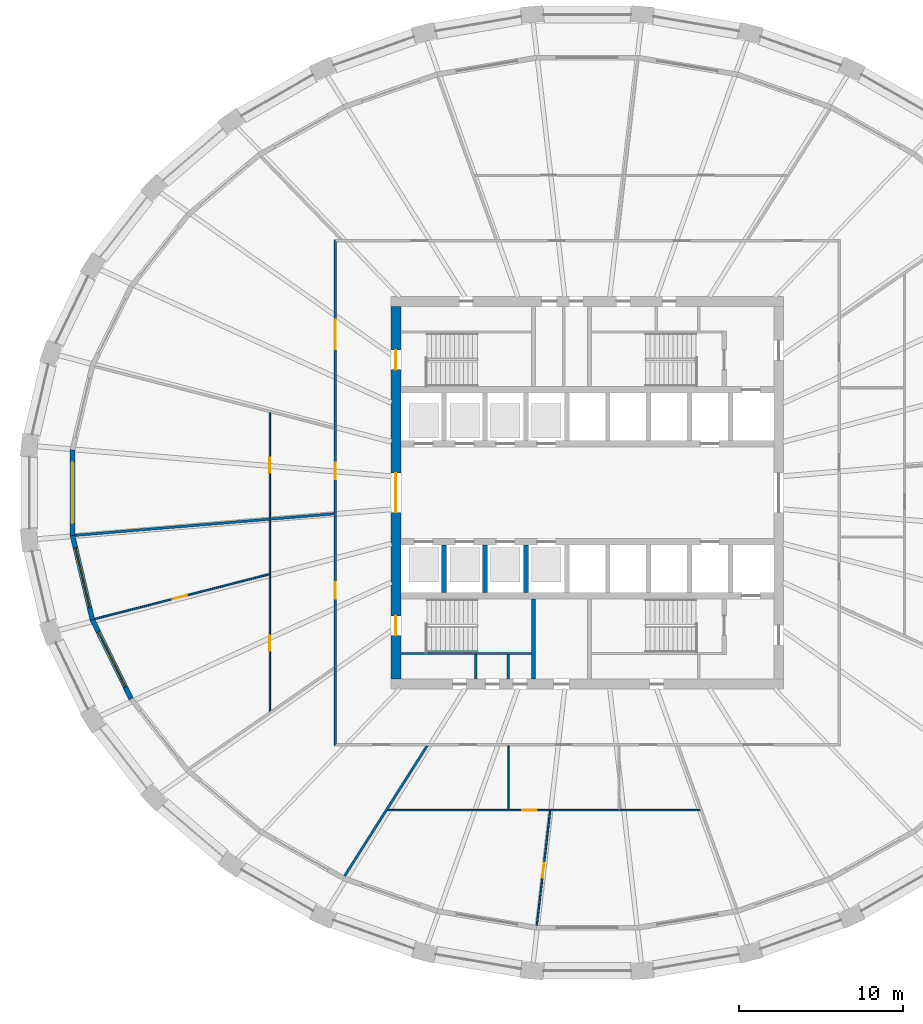
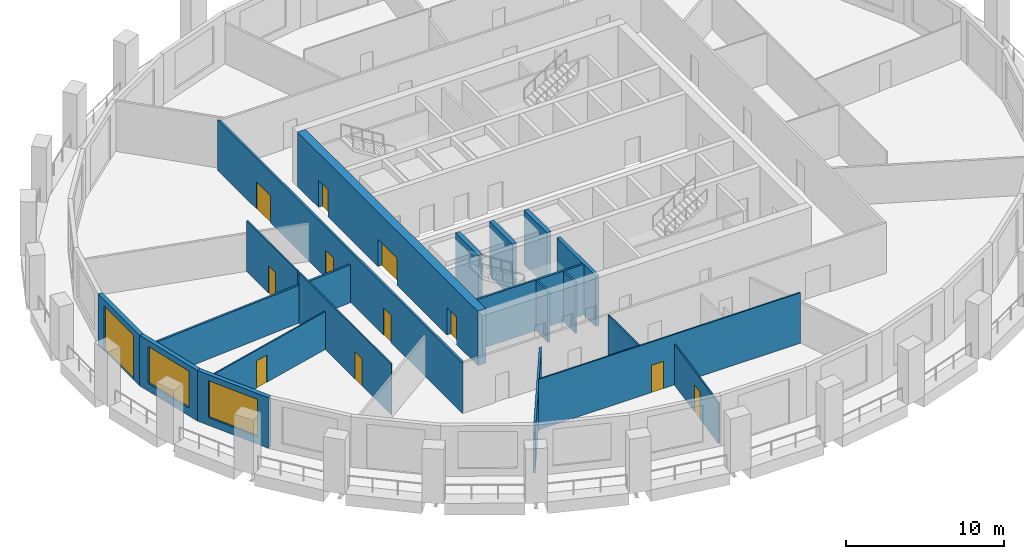
# One storey, part 3 of 11: 20 walls, 12 doors, 2 windows, 14 openings.
"""IFC4 building model written with IfcOpenShell, lengths in metres."""

import ifcopenshell
import ifcopenshell.guid

model = None  # the IFC model being written
_history = None  # IfcOwnerHistory: only IFC2X3 demands one
_inside = {}  # id of a spatial element -> (the spatial element, [elements in it])
_under = {}  # id of a project, library or spatial element -> (it, [spatial elements below it])
_declared = {}  # id of a project -> (the project, [libraries it declares])
_typed = {}  # id of a type object -> (the type object, [elements of that type])
_made_of = {}  # id of a material, layer set ... -> (it, [elements and type objects made of it])


def new_model(schema):
    """Start an empty IFC model of exactly this schema.

    Asked for "IFC4X3", IfcOpenShell would pick the latest addendum, in which some entities
    have other attributes; the version numbers below select the first issue.
    IFC2X3 requires an IfcOwnerHistory on every rooted entity: one is made here for all.
    """
    global model, _history
    if schema == "IFC4X3":
        model = ifcopenshell.file(schema_version=(4, 3, 0, 0))
    else:
        model = ifcopenshell.file(schema=schema)
    _inside.clear()
    _under.clear()
    _declared.clear()
    _typed.clear()
    _made_of.clear()
    _history = None
    if model.schema == "IFC2X3":
        org = make("IfcOrganization", Name="unknown")
        user = make(
            "IfcPersonAndOrganization",
            ThePerson=make("IfcPerson", FamilyName="unknown"),
            TheOrganization=org,
        )
        app = make(
            "IfcApplication",
            ApplicationDeveloper=org,
            Version="unknown",
            ApplicationFullName="unknown",
            ApplicationIdentifier="unknown",
        )
        _history = make(
            "IfcOwnerHistory",
            OwningUser=user,
            OwningApplication=app,
            ChangeAction="ADDED",
            CreationDate=0,
        )
    return model


def make(cls, **values):
    """One entity of the class cls with the attributes given. An attribute that is None is left unset."""
    return model.create_entity(
        cls, **{name: value for name, value in values.items() if value is not None}
    )


def rooted(cls, **values):
    """An entity with a GlobalId (a new one), such as an element, a storey or a relation."""
    return make(cls, GlobalId=ifcopenshell.guid.new(), OwnerHistory=_history, **values)


def si_unit(unit_type, name, prefix=None):
    """IfcSIUnit, for example si_unit("LENGTHUNIT", "METRE", prefix="MILLI")."""
    return make("IfcSIUnit", UnitType=unit_type, Prefix=prefix, Name=name)


def assignment(units):
    """IfcUnitAssignment: the units of a project."""
    return None if units is None else make("IfcUnitAssignment", Units=units)


def point(xyz):
    """IfcCartesianPoint."""
    return None if xyz is None else make("IfcCartesianPoint", Coordinates=xyz)


def direction(xyz):
    """IfcDirection."""
    return None if xyz is None else make("IfcDirection", DirectionRatios=xyz)


def frame(location, z_axis=None, x_axis=None):
    """IfcAxis2Placement3D, a coordinate frame: its origin and axes. An axis left out is left unset."""
    return make(
        "IfcAxis2Placement3D",
        Location=point(location),
        Axis=direction(z_axis),
        RefDirection=direction(x_axis),
    )


def frame_2d(location, x_axis=None):
    """IfcAxis2Placement2D, a coordinate frame in the plane: its origin and x axis."""
    return make(
        "IfcAxis2Placement2D", Location=point(location), RefDirection=direction(x_axis)
    )


def origin():
    """The frame at (0, 0, 0) with its axes left unset."""
    return frame((0.0, 0.0, 0.0))


def place(relative_to, where):
    """IfcLocalPlacement: puts the frame where relative to a parent placement (None: the world)."""
    return make(
        "IfcLocalPlacement", PlacementRelTo=relative_to, RelativePlacement=where
    )


def context(
    kind, dimensions, precision=None, world=None, true_north=None, identifier=None
):
    """IfcGeometricRepresentationContext, for example the 3D "Model" context."""
    return make(
        "IfcGeometricRepresentationContext",
        ContextIdentifier=identifier,
        ContextType=kind,
        CoordinateSpaceDimension=dimensions,
        Precision=precision,
        WorldCoordinateSystem=world,
        TrueNorth=true_north,
    )


def subcontext(parent, identifier, kind, view, scale=None):
    """IfcGeometricRepresentationSubContext, for example "Body" below "Model"."""
    return make(
        "IfcGeometricRepresentationSubContext",
        ContextIdentifier=identifier,
        ContextType=kind,
        ParentContext=parent,
        TargetScale=scale,
        TargetView=view,
    )


def project(units=None, contexts=None):
    """IfcProject with its units and contexts."""
    return rooted(
        "IfcProject",
        Name="project",
        RepresentationContexts=contexts,
        UnitsInContext=assignment(units),
    )


def spatial(cls, under=None, at=None, **own):
    """A site, building, storey or space (cls), placed at a placement, below another one or the project."""
    s = rooted(cls, ObjectPlacement=at, **own)
    if under is not None:
        _under.setdefault(under.id(), (under, []))[1].append(s)
    return s


def polyline(points):
    """IfcPolyline through the points."""
    return make("IfcPolyline", Points=[point(p) for p in points])


def profile(cls, at=None, kind="AREA", **sizes):
    """A parametric profile (cls). Its sizes go by their IFC names, for example OverallWidth=200.0."""
    return make(cls, ProfileType=kind, Position=at, **sizes)


def rectangle(**sizes):
    """IfcRectangleProfileDef."""
    return profile("IfcRectangleProfileDef", **sizes)


def outline(outer, holes=None, kind="AREA"):
    """IfcArbitraryClosedProfileDef: a profile drawn as a closed curve; with holes, ...WithVoids."""
    if holes is None:
        return make("IfcArbitraryClosedProfileDef", ProfileType=kind, OuterCurve=outer)
    return make(
        "IfcArbitraryProfileDefWithVoids",
        ProfileType=kind,
        OuterCurve=outer,
        InnerCurves=holes,
    )


def extrude(swept, where, along, depth):
    """IfcExtrudedAreaSolid: the profile swept, set in the frame where, extruded along a direction by depth."""
    return make(
        "IfcExtrudedAreaSolid",
        SweptArea=swept,
        Position=where,
        ExtrudedDirection=direction(along),
        Depth=depth,
    )


def shape(context_of_items, identifier, shape_type, items):
    """IfcShapeRepresentation: the items that make up one representation, for example the "Body"."""
    return make(
        "IfcShapeRepresentation",
        ContextOfItems=context_of_items,
        RepresentationIdentifier=identifier,
        RepresentationType=shape_type,
        Items=items,
    )


def material(Name=None, Category=None):
    """IfcMaterial."""
    return make("IfcMaterial", Name=Name, Category=Category)


def layer(
    of_material, thickness, ventilated=None, Name=None, Category=None, Priority=None
):
    """IfcMaterialLayer: one layer of a wall or slab, of a material (None: an air gap)."""
    return make(
        "IfcMaterialLayer",
        Material=of_material,
        LayerThickness=thickness,
        IsVentilated=ventilated,
        Name=Name,
        Category=Category,
        Priority=Priority,
    )


def layer_set(layers, Name=None):
    """IfcMaterialLayerSet."""
    return make("IfcMaterialLayerSet", MaterialLayers=layers, LayerSetName=Name)


def made_of(thing, what):
    """Note that an element or type object is made of a material, layer set ...; save() writes the relation."""
    if what is not None:
        _made_of.setdefault(what.id(), (what, []))[1].append(thing)
    return thing


def type_object(cls, material=None, **own):
    """A type object (cls), such as IfcWallType, which elements share."""
    return made_of(rooted(cls, **own), material)


def element(
    cls,
    number,
    at=None,
    inside=None,
    cuts=None,
    type_object=None,
    material=None,
    context=None,
    identifier="Body",
    shape_type=None,
    held_by="IfcProductDefinitionShape",
    body=None,
    shapes=None,
    **own,
):
    """One element of the class cls, such as IfcWall. Its Tag is "e" and its number.

    at: its placement. inside: the storey or other place that contains it. cuts: it is an
    opening in that element (IfcRelVoidsElement). A single representation is given by context,
    identifier, shape_type and body (its items); several are given by shapes. held_by: the class
    of the entity that holds the representations. save() writes the other relations.
    """
    e = rooted(cls, Tag="e%d" % number, ObjectPlacement=at, **own)
    if body is not None:
        shapes = [shape(context, identifier, shape_type, body)]
    if shapes is not None:
        e.Representation = make(held_by, Representations=shapes)
    if inside is not None:
        _inside.setdefault(inside.id(), (inside, []))[1].append(e)
    if cuts is not None:
        rooted(
            "IfcRelVoidsElement", RelatingBuildingElement=cuts, RelatedOpeningElement=e
        )
    if type_object is not None:
        _typed.setdefault(type_object.id(), (type_object, []))[1].append(e)
    return made_of(e, material)


def fill(opening, filler):
    """IfcRelFillsElement: the door or window that sits in an opening."""
    return rooted(
        "IfcRelFillsElement",
        RelatingOpeningElement=opening,
        RelatedBuildingElement=filler,
    )


def aggregate(whole, parts):
    """IfcRelAggregates: a whole, such as a stair, and the parts it consists of."""
    return rooted("IfcRelAggregates", RelatingObject=whole, RelatedObjects=parts)


def save(model, path):
    """Write the relations noted so far, then the file.

    IfcRelAggregates (storeys below a building ...), IfcRelContainedInSpatialStructure (elements
    in a storey), IfcRelDefinesByType, IfcRelAssociatesMaterial and IfcRelDeclares: one each for
    every whole, place, type object, material and project.
    """
    for whole, parts in _under.values():
        aggregate(whole, parts)
    for where, things in _inside.values():
        rooted(
            "IfcRelContainedInSpatialStructure",
            RelatedElements=things,
            RelatingStructure=where,
        )
    for kind, things in _typed.values():
        rooted("IfcRelDefinesByType", RelatedObjects=things, RelatingType=kind)
    for what, things in _made_of.values():
        rooted("IfcRelAssociatesMaterial", RelatedObjects=things, RelatingMaterial=what)
    for by, libraries in _declared.values():
        rooted("IfcRelDeclares", RelatingContext=by, RelatedDefinitions=libraries)
    model.write(path)


model = new_model("IFC4")

# Units and contexts
model_context = context("Model", 3, precision=1e-05, world=origin(), true_north=direction((0.0, 1.0)))
body_context = subcontext(model_context, "Body", "Model", "MODEL_VIEW")
ifc_project = project(units=[si_unit("LENGTHUNIT", "METRE"), si_unit("AREAUNIT", "SQUARE_METRE"), si_unit("VOLUMEUNIT", "CUBIC_METRE"), si_unit("PLANEANGLEUNIT", "RADIAN"), si_unit("MASSUNIT", "GRAM", prefix="KILO")], contexts=[model_context])

# Site, building, storey
site_placement = place(None, origin())
site = spatial("IfcSite", under=ifc_project, at=site_placement, CompositionType="ELEMENT")
building_placement = place(site_placement, origin())
building = spatial("IfcBuilding", under=site, at=building_placement, Name="Halqa Exchange Tower", CompositionType="ELEMENT")
storey_placement = place(building_placement, frame((0.0, 0.0, 142.300048828125)))
storey = spatial("IfcBuildingStorey", under=building, at=storey_placement, Name="L32", CompositionType="ELEMENT", Elevation=142.300048828125)

# Wall
ifc_material_1 = material(Name="Fire-rated gypsum board")
ifc_layer_1 = layer(ifc_material_1, 0.14990234375)
ifc_layer_set_1 = layer_set([ifc_layer_1], Name="Fire-rated gypsum board")
wall_type_1 = type_object("IfcWallType", Name="Fire partition EI 60 150", PredefinedType="PARTITIONING", material=ifc_layer_set_1)
wall_1_placement = place(storey_placement, frame((-31.304931640625, -2.6044921875, 0.0), z_axis=(0.0, 0.0, 1.0), x_axis=(0.996551160003, 0.082980633261, 0.0)))
element("IfcWall", 1, at=wall_1_placement, inside=storey, type_object=wall_type_1, Name="L32-PWL-001", PredefinedType="PARTITIONING", context=body_context, shape_type="SweptSolid", body=[
    extrude(outline(polyline([(0.004638671875, -0.074951171875), (1.9853515625, -0.074951171875), (3.96630859375, -0.074951171875), (5.947265625, -0.074951171875), (7.927978515625, -0.074951171875), (9.908935546875, -0.074951171875), (11.8896484375, -0.074951171875), (11.8896484375, -0.074951171875), (11.890625, -0.074951171875), (13.884521484375, -0.074951171875), (15.87841796875, -0.074951171875), (15.890380859375, 0.068115234375), (15.890380859375, 0.074951171875), (13.904052734375, 0.074951171875), (11.917724609375, 0.074951171875), (9.931396484375, 0.074951171875), (7.9453125, 0.074951171875), (5.958984375, 0.074951171875), (3.97265625, 0.074951171875), (1.986328125, 0.074951171875), (0.0, 0.074951171875), (0.0, -0.044189453125), (0.004638671875, -0.074951171875)])), origin(), (0.0, 0.0, 1.0), 2.909912109375),
])

# Wall, openings, doors
wall_2_placement = place(storey_placement, frame((-15.39990234375, -15.47509765625, 0.0), z_axis=(0.0, 0.0, 1.0), x_axis=(0.0, 1.0, 0.0)))
wall_2 = element("IfcWall", 2, at=wall_2_placement, inside=storey, type_object=wall_type_1, Name="L32-PWL-007", PredefinedType="PARTITIONING", context=body_context, shape_type="SweptSolid", body=[
    extrude(outline(polyline([(0.150146484375, -0.074951171875), (2.065673828125, -0.074951171875), (3.9814453125, -0.074951171875), (5.89697265625, -0.074951171875), (7.8125, -0.074951171875), (9.728271484375, -0.074951171875), (11.643798828125, -0.074951171875), (13.5595703125, -0.074951171875), (15.47509765625, -0.074951171875), (17.390625, -0.074951171875), (19.306396484375, -0.074951171875), (21.221923828125, -0.074951171875), (23.1376953125, -0.074951171875), (25.05322265625, -0.074951171875), (26.96875, -0.074951171875), (28.884521484375, -0.074951171875), (30.800048828125, -0.074951171875), (30.949951171875, 0.074951171875), (29.015625, 0.074951171875), (27.081298828125, 0.074951171875), (25.14697265625, 0.074951171875), (23.21240234375, 0.074951171875), (21.278076171875, 0.074951171875), (19.34375, 0.074951171875), (17.409423828125, 0.074951171875), (15.47509765625, 0.074951171875), (13.540771484375, 0.074951171875), (11.6064453125, 0.074951171875), (9.672119140625, 0.074951171875), (7.73779296875, 0.074951171875), (5.80322265625, 0.074951171875), (3.868896484375, 0.074951171875), (1.9345703125, 0.074951171875), (0.000244140625, 0.074951171875), (0.150146484375, -0.074951171875)])), origin(), (0.0, 0.0, 1.0), 3.89990234375),
])
opening_1_placement = place(wall_2_placement, frame((24.2451171875, 0.0, 0.0)))
opening_1 = element("IfcOpeningElement", 3, at=opening_1_placement, cuts=wall_2, Name="Opening 10-08", PredefinedType="OPENING", context=body_context, shape_type="SweptSolid", body=[
    extrude(rectangle(XDim=1.800048828125, YDim=2.10009765625, at=frame_2d((0.89990234375, 1.050048828125))), frame((0.0, 0.0869140625, 0.0), z_axis=(0.0, -1.0, 0.0), x_axis=(1.0, 0.0, 0.0)), (0.0, 0.0, 1.0), 0.173828125),
])
opening_2_placement = place(wall_2_placement, frame((16.304931640625, 0.0, 0.0)))
opening_2 = element("IfcOpeningElement", 4, at=opening_2_placement, cuts=wall_2, Name="Opening 10-09", PredefinedType="OPENING", context=body_context, shape_type="SweptSolid", body=[
    extrude(rectangle(XDim=1.0, YDim=2.10009765625, at=frame_2d((0.5, 1.050048828125))), frame((0.0, 0.0869140625, 0.0), z_axis=(0.0, -1.0, 0.0), x_axis=(1.0, 0.0, 0.0)), (0.0, 0.0, 1.0), 0.173828125),
])
opening_3_placement = place(wall_2_placement, frame((9.0, 0.0, 0.0)))
opening_3 = element("IfcOpeningElement", 5, at=opening_3_placement, cuts=wall_2, Name="Opening 10-10", PredefinedType="OPENING", context=body_context, shape_type="SweptSolid", body=[
    extrude(rectangle(XDim=1.0, YDim=2.10009765625, at=frame_2d((0.5, 1.050048828125))), frame((0.0, 0.0869140625, 0.0), z_axis=(0.0, -1.0, 0.0), x_axis=(1.0, 0.0, 0.0)), (0.0, 0.0, 1.0), 0.173828125),
])
ifc_material_2 = material(Name="Steel fire door leaf", Category="steel")
door_type_1 = type_object("IfcDoorType", Name="Fire door FD30S 1000 x 2100", OperationType="SINGLE_SWING_LEFT", PredefinedType="DOOR", material=ifc_material_2)
door_1_placement = place(opening_2_placement, origin())
door_1 = element("IfcDoor", 6, at=door_1_placement, inside=storey, type_object=door_type_1, Name="L32-IDR-009", OperationType="SINGLE_SWING_RIGHT", OverallHeight=2.10009765625, OverallWidth=1.0, PredefinedType="DOOR", context=body_context, shape_type="SweptSolid", body=[
    extrude(rectangle(XDim=1.0, YDim=2.10009765625, at=frame_2d((0.5, 1.050048828125))), frame((0.0, 0.02490234375, 0.0), z_axis=(0.0, -1.0, 0.0), x_axis=(1.0, 0.0, 0.0)), (0.0, 0.0, 1.0), 0.050048828125),
])
fill(opening_2, door_1)
door_2_placement = place(opening_3_placement, origin())
door_2 = element("IfcDoor", 7, at=door_2_placement, inside=storey, type_object=door_type_1, Name="L32-IDR-010", OperationType="SINGLE_SWING_LEFT", OverallHeight=2.10009765625, OverallWidth=1.0, PredefinedType="DOOR", context=body_context, shape_type="SweptSolid", body=[
    extrude(rectangle(XDim=1.0, YDim=2.10009765625, at=frame_2d((0.5, 1.050048828125))), frame((0.0, 0.02490234375, 0.0), z_axis=(0.0, -1.0, 0.0), x_axis=(1.0, 0.0, 0.0)), (0.0, 0.0, 1.0), 0.050048828125),
])
fill(opening_3, door_2)
door_type_2 = type_object("IfcDoorType", Name="Fire door FD30S double 1800 x 2100", OperationType="DOUBLE_DOOR_SINGLE_SWING", PredefinedType="DOOR", material=ifc_material_2)
door_3_placement = place(opening_1_placement, origin())
door_3 = element("IfcDoor", 8, at=door_3_placement, inside=storey, type_object=door_type_2, Name="L32-IDR-008", OperationType="DOUBLE_DOOR_SINGLE_SWING", OverallHeight=2.10009765625, OverallWidth=1.800048828125, PredefinedType="DOOR", context=body_context, shape_type="SweptSolid", body=[
    extrude(rectangle(XDim=1.800048828125, YDim=2.10009765625, at=frame_2d((0.89990234375, 1.050048828125))), frame((0.0, 0.02490234375, 0.0), z_axis=(0.0, -1.0, 0.0), x_axis=(1.0, 0.0, 0.0)), (0.0, 0.0, 1.0), 0.050048828125),
])
fill(opening_1, door_3)

# Wall
wall_3_placement = place(storey_placement, frame((-14.836669921875, -23.432373046875, 0.0), z_axis=(0.0, 0.0, 1.0), x_axis=(0.535485065479, 0.844544696655, 0.0)))
element("IfcWall", 9, at=wall_3_placement, inside=storey, type_object=wall_type_1, Name="L32-PWL-011", PredefinedType="PARTITIONING", context=body_context, shape_type="SweptSolid", body=[
    extrude(outline(polyline([(0.020263671875, -0.074951171875), (1.638671875, -0.074951171875), (3.25732421875, -0.074951171875), (4.875732421875, -0.074951171875), (4.879638671875, -0.072509765625), (4.88134765625, -0.074951171875), (6.41064453125, -0.074951171875), (7.939697265625, -0.074951171875), (9.468994140625, -0.074951171875), (9.468994140625, -0.073974609375), (9.37451171875, 0.074951171875), (7.499755859375, 0.074951171875), (5.624755859375, 0.074951171875), (3.749755859375, 0.074951171875), (1.875, 0.074951171875), (0.0, 0.074951171875), (0.0, 0.066162109375), (0.003662109375, -0.003662109375), (0.020263671875, -0.074951171875)])), origin(), (0.0, 0.0, 1.0), 3.14697265625),
])

# Wall, opening, door
ifc_material_3 = material(Name="Gypsum board")
ifc_layer_2 = layer(ifc_material_3, 0.10009765625)
ifc_layer_set_2 = layer_set([ifc_layer_2], Name="Gypsum board")
wall_type_2 = type_object("IfcWallType", Name="Partition 100 gypsum", PredefinedType="PARTITIONING", material=ifc_layer_set_2)
wall_4_placement = place(storey_placement, frame((-19.39990234375, -13.387451171875, 0.0), z_axis=(0.0, 0.0, 1.0), x_axis=(0.0, 1.0, 0.0)))
wall_4 = element("IfcWall", 10, at=wall_4_placement, inside=storey, type_object=wall_type_2, Name="L32-PWL-004", PredefinedType="PARTITIONING", context=body_context, shape_type="SweptSolid", body=[
    extrude(outline(polyline([(11.702880859375, -0.050048828125), (11.702880859375, -0.0458984375), (11.69482421875, 0.050048828125), (10.02783203125, 0.050048828125), (8.360595703125, 0.050048828125), (8.353515625, 0.048095703125), (8.35302734375, 0.050048828125), (6.682373046875, 0.050048828125), (5.01171875, 0.050048828125), (3.34130859375, 0.050048828125), (1.670654296875, 0.050048828125), (0.0, 0.050048828125), (0.0, 0.0498046875), (0.0693359375, -0.050048828125), (2.00830078125, -0.050048828125), (3.947021484375, -0.050048828125), (5.885986328125, -0.050048828125), (7.824951171875, -0.050048828125), (9.763916015625, -0.050048828125), (11.702880859375, -0.050048828125)])), origin(), (0.0, 0.0, 1.0), 3.89990234375),
])
opening_4_placement = place(wall_4_placement, frame((3.732421875, 0.0, 0.0)))
opening_4 = element("IfcOpeningElement", 11, at=opening_4_placement, cuts=wall_4, Name="Opening 10-21", PredefinedType="OPENING", context=body_context, shape_type="SweptSolid", body=[
    extrude(rectangle(XDim=0.89990234375, YDim=2.10009765625, at=frame_2d((0.449951171875, 1.050048828125))), frame((0.0, 0.06201171875, 0.0), z_axis=(0.0, -1.0, 0.0), x_axis=(1.0, 0.0, 0.0)), (0.0, 0.0, 1.0), 0.1240234375),
])
ifc_material_4 = material(Name="Timber door leaf", Category="wood")
door_type_3 = type_object("IfcDoorType", Name="Door 900 x 2100", OperationType="SINGLE_SWING_LEFT", PredefinedType="DOOR", material=ifc_material_4)
door_4_placement = place(opening_4_placement, frame((0.89990234375, 0.0, 0.0), z_axis=(0.0, 0.0, 1.0), x_axis=(-1.0, 0.0, 0.0)))
door_4 = element("IfcDoor", 12, at=door_4_placement, inside=storey, type_object=door_type_3, Name="L32-IDR-021", OperationType="SINGLE_SWING_LEFT", OverallHeight=2.10009765625, OverallWidth=0.89990234375, PredefinedType="DOOR", context=body_context, shape_type="SweptSolid", body=[
    extrude(rectangle(XDim=0.89990234375, YDim=2.10009765625, at=frame_2d((0.449951171875, 1.050048828125))), frame((0.0, 0.02490234375, 0.0), z_axis=(0.0, -1.0, 0.0), x_axis=(1.0, 0.0, 0.0)), (0.0, 0.0, 1.0), 0.050048828125),
])
fill(opening_4, door_4)

wall_5_placement = place(storey_placement, frame((-19.437744140625, -4.979736328125, 0.0), z_axis=(0.0, 0.0, 1.0), x_axis=(-0.968675214927, -0.248331085419, 0.0)))
wall_5 = element("IfcWall", 13, at=wall_5_placement, inside=storey, type_object=wall_type_2, Name="L32-PWL-005", PredefinedType="PARTITIONING", context=body_context, shape_type="SweptSolid", body=[
    extrude(outline(polyline([(11.013916015625, -0.050048828125), (11.013916015625, 0.00244140625), (11.00390625, 0.050048828125), (9.17431640625, 0.050048828125), (7.344482421875, 0.050048828125), (5.5146484375, 0.050048828125), (3.68505859375, 0.050048828125), (1.855224609375, 0.050048828125), (0.025390625, 0.050048828125), (0.0, -0.04931640625), (0.0, -0.050048828125), (1.835693359375, -0.050048828125), (3.67138671875, -0.050048828125), (5.5068359375, -0.050048828125), (7.342529296875, -0.050048828125), (9.17822265625, -0.050048828125), (11.013916015625, -0.050048828125)])), origin(), (0.0, 0.0, 1.0), 2.909912109375),
])
opening_5_placement = place(wall_5_placement, frame((5.18896484375, 0.0, 0.0)))
opening_5 = element("IfcOpeningElement", 14, at=opening_5_placement, cuts=wall_5, Name="Opening 10-22", PredefinedType="OPENING", context=body_context, shape_type="SweptSolid", body=[
    extrude(rectangle(XDim=0.89990234375, YDim=2.10009765625, at=frame_2d((0.449951171875, 1.050048828125))), frame((0.0, 0.06201171875, 0.0), z_axis=(0.0, -1.0, 0.0), x_axis=(1.0, 0.0, 0.0)), (0.0, 0.0, 1.0), 0.1240234375),
])
door_5_placement = place(opening_5_placement, frame((0.89990234375, 0.0, 0.0), z_axis=(0.0, 0.0, 1.0), x_axis=(-1.0, 0.0, 0.0)))
door_5 = element("IfcDoor", 15, at=door_5_placement, inside=storey, type_object=door_type_3, Name="L32-IDR-022", OperationType="SINGLE_SWING_LEFT", OverallHeight=2.10009765625, OverallWidth=0.89990234375, PredefinedType="DOOR", context=body_context, shape_type="SweptSolid", body=[
    extrude(rectangle(XDim=0.89990234375, YDim=2.10009765625, at=frame_2d((0.449951171875, 1.050048828125))), frame((0.0, 0.02490234375, 0.0), z_axis=(0.0, -1.0, 0.0), x_axis=(1.0, 0.0, 0.0)), (0.0, 0.0, 1.0), 0.050048828125),
])
fill(opening_5, door_5)

wall_6_placement = place(storey_placement, frame((-19.39990234375, -1.5419921875, 0.0), z_axis=(0.0, 0.0, 1.0), x_axis=(0.0, 1.0, 0.0)))
wall_6 = element("IfcWall", 16, at=wall_6_placement, inside=storey, type_object=wall_type_2, Name="L32-PWL-006", PredefinedType="PARTITIONING", context=body_context, shape_type="SweptSolid", body=[
    extrude(outline(polyline([(0.00830078125, -0.050048828125), (1.61083984375, -0.050048828125), (3.21337890625, -0.050048828125), (4.81591796875, -0.050048828125), (6.41845703125, -0.050048828125), (6.444091796875, 0.050048828125), (4.8330078125, 0.050048828125), (3.221923828125, 0.050048828125), (1.611083984375, 0.050048828125), (0.0, 0.050048828125), (0.0, 0.049560546875), (0.00830078125, -0.050048828125)])), origin(), (0.0, 0.0, 1.0), 3.89990234375),
])
opening_6_placement = place(wall_6_placement, frame((2.77197265625, 0.0, 0.0)))
opening_6 = element("IfcOpeningElement", 17, at=opening_6_placement, cuts=wall_6, Name="Opening 10-20", PredefinedType="OPENING", context=body_context, shape_type="SweptSolid", body=[
    extrude(rectangle(XDim=0.89990234375, YDim=2.10009765625, at=frame_2d((0.449951171875, 1.050048828125))), frame((0.0, 0.06201171875, 0.0), z_axis=(0.0, -1.0, 0.0), x_axis=(1.0, 0.0, 0.0)), (0.0, 0.0, 1.0), 0.1240234375),
])
door_6_placement = place(opening_6_placement, frame((0.89990234375, 0.0, 0.0), z_axis=(0.0, 0.0, 1.0), x_axis=(-1.0, 0.0, 0.0)))
door_6 = element("IfcDoor", 18, at=door_6_placement, inside=storey, type_object=door_type_3, Name="L32-IDR-020", OperationType="SINGLE_SWING_LEFT", OverallHeight=2.10009765625, OverallWidth=0.89990234375, PredefinedType="DOOR", context=body_context, shape_type="SweptSolid", body=[
    extrude(rectangle(XDim=0.89990234375, YDim=2.10009765625, at=frame_2d((0.449951171875, 1.050048828125))), frame((0.0, 0.02490234375, 0.0), z_axis=(0.0, -1.0, 0.0), x_axis=(1.0, 0.0, 0.0)), (0.0, 0.0, 1.0), 0.050048828125),
])
fill(opening_6, door_6)

wall_7_placement = place(storey_placement, frame((-12.222412109375, -19.39990234375, 0.0), z_axis=(0.0, 0.0, 1.0), x_axis=(1.0, 0.0, 0.0)))
wall_7 = element("IfcWall", 19, at=wall_7_placement, inside=storey, type_object=wall_type_2, Name="L32-PWL-012", PredefinedType="PARTITIONING", context=body_context, shape_type="SweptSolid", body=[
    extrude(outline(polyline([(0.0, -0.050048828125), (1.981201171875, -0.050048828125), (3.96240234375, -0.050048828125), (5.943603515625, -0.050048828125), (7.925048828125, -0.050048828125), (9.90625, -0.050048828125), (9.90625, -0.048828125), (9.916259765625, -0.050048828125), (11.759033203125, -0.050048828125), (13.6015625, -0.050048828125), (15.4443359375, -0.050048828125), (17.287109375, -0.050048828125), (19.1298828125, -0.050048828125), (19.1298828125, -0.049560546875), (19.093994140625, 0.050048828125), (17.463623046875, 0.050048828125), (15.8330078125, 0.050048828125), (14.202392578125, 0.050048828125), (14.202392578125, 0.0498046875), (14.102294921875, 0.0498046875), (14.102294921875, 0.050048828125), (12.4423828125, 0.050048828125), (10.782470703125, 0.050048828125), (9.122314453125, 0.050048828125), (7.46240234375, 0.050048828125), (7.46240234375, 0.0498046875), (7.3623046875, 0.0498046875), (7.3623046875, 0.050048828125), (5.53759765625, 0.050048828125), (3.712646484375, 0.050048828125), (1.887939453125, 0.050048828125), (0.06298828125, 0.050048828125), (0.0, -0.04931640625), (0.0, -0.050048828125)])), origin(), (0.0, 0.0, 1.0), 3.89990234375),
])
opening_7_placement = place(wall_7_placement, frame((8.237548828125, 0.0, 0.0)))
opening_7 = element("IfcOpeningElement", 20, at=opening_7_placement, cuts=wall_7, Name="Opening 10-23", PredefinedType="OPENING", context=body_context, shape_type="SweptSolid", body=[
    extrude(rectangle(XDim=0.89990234375, YDim=2.10009765625, at=frame_2d((0.449951171875, 1.050048828125))), frame((0.0, 0.06201171875, 0.0), z_axis=(0.0, -1.0, 0.0), x_axis=(1.0, 0.0, 0.0)), (0.0, 0.0, 1.0), 0.1240234375),
])
door_7_placement = place(opening_7_placement, origin())
door_7 = element("IfcDoor", 21, at=door_7_placement, inside=storey, type_object=door_type_3, Name="L32-IDR-023", OperationType="SINGLE_SWING_RIGHT", OverallHeight=2.10009765625, OverallWidth=0.89990234375, PredefinedType="DOOR", context=body_context, shape_type="SweptSolid", body=[
    extrude(rectangle(XDim=0.89990234375, YDim=2.10009765625, at=frame_2d((0.449951171875, 1.050048828125))), frame((0.0, 0.02490234375, 0.0), z_axis=(0.0, -1.0, 0.0), x_axis=(1.0, 0.0, 0.0)), (0.0, 0.0, 1.0), 0.050048828125),
])
fill(opening_7, door_7)

# Wall
wall_8_placement = place(storey_placement, frame((-4.81005859375, -19.35009765625, 0.0), z_axis=(0.0, 0.0, 1.0), x_axis=(0.0, 1.0, 0.0)))
element("IfcWall", 22, at=wall_8_placement, inside=storey, type_object=wall_type_2, Name="L32-PWL-015", PredefinedType="PARTITIONING", context=body_context, shape_type="SweptSolid", body=[
    extrude(rectangle(XDim=3.875, YDim=0.10009765625, at=frame_2d((1.9375, 0.0))), origin(), (0.0, 0.0, 1.0), 3.89990234375),
])

# Wall, opening, door
wall_9_placement = place(storey_placement, frame((-2.26513671875, -19.444091796875, 0.0), z_axis=(0.0, 0.0, 1.0), x_axis=(-0.116388626605, -0.993203749287, 0.0)))
wall_9 = element("IfcWall", 23, at=wall_9_placement, inside=storey, type_object=wall_type_2, Name="L32-PWL-016", PredefinedType="PARTITIONING", context=body_context, shape_type="SweptSolid", body=[
    extrude(outline(polyline([(0.01171875, -0.050048828125), (1.769287109375, -0.050048828125), (3.52685546875, -0.050048828125), (5.2841796875, -0.050048828125), (7.041748046875, -0.050048828125), (7.041748046875, -0.048583984375), (7.041748046875, 0.0224609375), (7.03857421875, 0.050048828125), (5.27880859375, 0.050048828125), (3.519287109375, 0.050048828125), (1.759765625, 0.050048828125), (0.0, 0.050048828125), (0.01171875, -0.050048828125)])), origin(), (0.0, 0.0, 1.0), 3.14697265625),
])
opening_8_placement = place(wall_9_placement, frame((3.20068359375, 0.0, 0.0)))
opening_8 = element("IfcOpeningElement", 24, at=opening_8_placement, cuts=wall_9, Name="Opening 10-24", PredefinedType="OPENING", context=body_context, shape_type="SweptSolid", body=[
    extrude(rectangle(XDim=0.89990234375, YDim=2.10009765625, at=frame_2d((0.449951171875, 1.050048828125))), frame((0.0, 0.06201171875, 0.0), z_axis=(0.0, -1.0, 0.0), x_axis=(1.0, 0.0, 0.0)), (0.0, 0.0, 1.0), 0.1240234375),
])
door_8_placement = place(opening_8_placement, frame((0.89990234375, 0.0, 0.0), z_axis=(0.0, 0.0, 1.0), x_axis=(-1.0, 0.0, 0.0)))
door_8 = element("IfcDoor", 25, at=door_8_placement, inside=storey, type_object=door_type_3, Name="L32-IDR-024", OperationType="SINGLE_SWING_RIGHT", OverallHeight=2.10009765625, OverallWidth=0.89990234375, PredefinedType="DOOR", context=body_context, shape_type="SweptSolid", body=[
    extrude(rectangle(XDim=0.89990234375, YDim=2.10009765625, at=frame_2d((0.449951171875, 1.050048828125))), frame((0.0, 0.02490234375, 0.0), z_axis=(0.0, -1.0, 0.0), x_axis=(1.0, 0.0, 0.0)), (0.0, 0.0, 1.0), 0.050048828125),
])
fill(opening_8, door_8)

# Walls
ifc_layer_3 = layer(ifc_material_3, 0.14990234375)
ifc_layer_set_3 = layer_set([ifc_layer_3], Name="Gypsum board")
wall_type_3 = type_object("IfcWallType", Name="Penthouse riser wall 150 gypsum", PredefinedType="PARTITIONING", material=ifc_layer_set_3)
for number, where, z_axis, x_axis, name in (
    (26, (-6.824951171875, -11.39990234375, 0.0), (0.0, 0.0, 1.0), (0.0, 1.0, 0.0), "Partition W6.825 S"),
    (27, (-4.824951171875, -11.39990234375, 0.0), (0.0, 0.0, 1.0), (0.0, 1.0, 0.0), "Partition W4.825 S"),
):
    element("IfcWall", number, at=place(storey_placement, frame(where, z_axis=z_axis, x_axis=x_axis)), inside=storey, type_object=wall_type_3, Name=name, PredefinedType="PARTITIONING", context=body_context, shape_type="SweptSolid", body=[
        extrude(rectangle(XDim=1.5, YDim=0.14990234375, at=frame_2d((0.75, 0.0))), origin(), (0.0, 0.0, 1.0), 3.89990234375),
    ])
ifc_material_5 = material(Name="Concrete C60/75", Category="concrete")
ifc_layer_4 = layer(ifc_material_5, 0.300048828125)
ifc_layer_set_4 = layer_set([ifc_layer_4], Name="Concrete C60/75")
wall_type_4 = type_object("IfcWallType", Name="RC core wall 300", PredefinedType="SHEAR", material=ifc_layer_set_4)
for number, where, z_axis, x_axis, name in (
    (28, (-8.75, -6.10009765625, 0.0), (0.0, 0.0, 1.0), (0.0, 1.0, 0.0), "Shaft divider S1"),
    (29, (-6.25, -6.10009765625, 0.0), (0.0, 0.0, 1.0), (0.0, 1.0, 0.0), "Shaft divider S2"),
    (30, (-3.75, -6.10009765625, 0.0), (0.0, 0.0, 1.0), (0.0, 1.0, 0.0), "Shaft divider S3"),
):
    element("IfcWall", number, at=place(storey_placement, frame(where, z_axis=z_axis, x_axis=x_axis)), inside=storey, type_object=wall_type_4, Name=name, PredefinedType="SHEAR", context=body_context, shape_type="SweptSolid", body=[
        extrude(rectangle(XDim=2.900146484375, YDim=0.300048828125, at=frame_2d((1.4501953125, 0.0))), origin(), (0.0, 0.0, 1.0), 4.199951171875),
    ])

# Wall, openings, doors
ifc_material_6 = material(Name="Concrete C70/85", Category="concrete")
ifc_layer_5 = layer(ifc_material_6, 0.60009765625)
ifc_layer_set_5 = layer_set([ifc_layer_5], Name="Concrete C70/85")
wall_type_5 = type_object("IfcWallType", Name="RC core wall 600 C70/85", PredefinedType="SHEAR", material=ifc_layer_set_5)
wall_10_placement = place(storey_placement, frame((-11.699951171875, -11.39990234375, 0.0), z_axis=(0.0, 0.0, 1.0), x_axis=(0.0, 1.0, 0.0)))
wall_10 = element("IfcWall", 31, at=wall_10_placement, inside=storey, type_object=wall_type_5, Name="Core wall west", PredefinedType="SHEAR", context=body_context, shape_type="SweptSolid", body=[
    extrude(rectangle(XDim=22.7998046875, YDim=0.60009765625, at=frame_2d((11.39990234375, 0.0))), origin(), (0.0, 0.0, 1.0), 4.199951171875),
])
opening_9_placement = place(wall_10_placement, frame((10.199951171875, 0.0, 0.0)))
opening_9 = element("IfcOpeningElement", 32, at=opening_9_placement, cuts=wall_10, Name="Opening T10-C13", PredefinedType="OPENING", context=body_context, shape_type="SweptSolid", body=[
    extrude(rectangle(XDim=2.39990234375, YDim=2.10009765625, at=frame_2d((1.199951171875, 1.050048828125))), frame((0.0, 0.31201171875, 0.0), z_axis=(0.0, -1.0, 0.0), x_axis=(1.0, 0.0, 0.0)), (0.0, 0.0, 1.0), 0.6240234375),
])
opening_10_placement = place(wall_10_placement, frame((18.925048828125, 0.0, 0.0)))
opening_10 = element("IfcOpeningElement", 33, at=opening_10_placement, cuts=wall_10, Name="Opening T10-C15", PredefinedType="OPENING", context=body_context, shape_type="SweptSolid", body=[
    extrude(rectangle(XDim=1.199951171875, YDim=2.10009765625, at=frame_2d((0.60009765625, 1.050048828125))), frame((0.0, 0.31201171875, 0.0), z_axis=(0.0, -1.0, 0.0), x_axis=(1.0, 0.0, 0.0)), (0.0, 0.0, 1.0), 0.6240234375),
])
opening_11_placement = place(wall_10_placement, frame((2.675048828125, 0.0, 0.0)))
opening_11 = element("IfcOpeningElement", 34, at=opening_11_placement, cuts=wall_10, Name="Opening T10-C17", PredefinedType="OPENING", context=body_context, shape_type="SweptSolid", body=[
    extrude(rectangle(XDim=1.199951171875, YDim=2.10009765625, at=frame_2d((0.60009765625, 1.050048828125))), frame((0.0, 0.31201171875, 0.0), z_axis=(0.0, -1.0, 0.0), x_axis=(1.0, 0.0, 0.0)), (0.0, 0.0, 1.0), 0.6240234375),
])
door_type_4 = type_object("IfcDoorType", Name="Lobby double door FD60 2400 x 2100", OperationType="DOUBLE_DOOR_SINGLE_SWING", PredefinedType="DOOR", material=ifc_material_2)
door_9_placement = place(opening_9_placement, frame((2.39990234375, 0.0, 0.0), z_axis=(0.0, 0.0, 1.0), x_axis=(-1.0, 0.0, 0.0)))
door_9 = element("IfcDoor", 35, at=door_9_placement, inside=storey, type_object=door_type_4, Name="Lift lobby double door", OperationType="DOUBLE_DOOR_SINGLE_SWING", OverallHeight=2.10009765625, OverallWidth=2.39990234375, PredefinedType="DOOR", context=body_context, shape_type="SweptSolid", body=[
    extrude(rectangle(XDim=2.39990234375, YDim=2.10009765625, at=frame_2d((1.199951171875, 1.050048828125))), frame((0.0, 0.02490234375, 0.0), z_axis=(0.0, -1.0, 0.0), x_axis=(1.0, 0.0, 0.0)), (0.0, 0.0, 1.0), 0.050048828125),
])
fill(opening_9, door_9)
door_type_5 = type_object("IfcDoorType", Name="Stair door FD90 1200 x 2100", OperationType="SINGLE_SWING_LEFT", PredefinedType="DOOR", material=ifc_material_2)
door_10_placement = place(opening_10_placement, frame((1.199951171875, 0.0, 0.0), z_axis=(0.0, 0.0, 1.0), x_axis=(-1.0, 0.0, 0.0)))
door_10 = element("IfcDoor", 36, at=door_10_placement, inside=storey, type_object=door_type_5, Name="Stair door ST1", OperationType="SINGLE_SWING_RIGHT", OverallHeight=2.10009765625, OverallWidth=1.199951171875, PredefinedType="DOOR", context=body_context, shape_type="SweptSolid", body=[
    extrude(rectangle(XDim=1.199951171875, YDim=2.10009765625, at=frame_2d((0.60009765625, 1.050048828125))), frame((0.0, 0.02490234375, 0.0), z_axis=(0.0, -1.0, 0.0), x_axis=(1.0, 0.0, 0.0)), (0.0, 0.0, 1.0), 0.050048828125),
])
fill(opening_10, door_10)
door_11_placement = place(opening_11_placement, frame((1.199951171875, 0.0, 0.0), z_axis=(0.0, 0.0, 1.0), x_axis=(-1.0, 0.0, 0.0)))
door_11 = element("IfcDoor", 37, at=door_11_placement, inside=storey, type_object=door_type_5, Name="Stair door ST3", OperationType="SINGLE_SWING_RIGHT", OverallHeight=2.10009765625, OverallWidth=1.199951171875, PredefinedType="DOOR", context=body_context, shape_type="SweptSolid", body=[
    extrude(rectangle(XDim=1.199951171875, YDim=2.10009765625, at=frame_2d((0.60009765625, 1.050048828125))), frame((0.0, 0.02490234375, 0.0), z_axis=(0.0, -1.0, 0.0), x_axis=(1.0, 0.0, 0.0)), (0.0, 0.0, 1.0), 0.050048828125),
])
fill(opening_11, door_11)

# Walls
ifc_material_7 = material(Name="Concrete C30/37", Category="concrete")
ifc_layer_6 = layer(ifc_material_7, 0.14990234375)
ifc_layer_set_6 = layer_set([ifc_layer_6], Name="Concrete C30/37")
wall_type_6 = type_object("IfcWallType", Name="RC stair wall 150 C30/37", PredefinedType="SHEAR", material=ifc_layer_set_6)
wall_11_placement = place(storey_placement, frame((-11.39990234375, -9.824951171875, 0.0), z_axis=(0.0, 0.0, 1.0), x_axis=(1.0, 0.0, 0.0)))
element("IfcWall", 38, at=wall_11_placement, inside=storey, type_object=wall_type_6, Name="Stair ST1 north wall S", PredefinedType="SHEAR", context=body_context, shape_type="SweptSolid", body=[
    extrude(rectangle(XDim=8.0, YDim=0.14990234375, at=frame_2d((4.0, 0.0))), origin(), (0.0, 0.0, 1.0), 3.89990234375),
])
ifc_layer_7 = layer(ifc_material_7, 0.25)
ifc_layer_set_7 = layer_set([ifc_layer_7], Name="Concrete C30/37")
wall_type_7 = type_object("IfcWallType", Name="RC stair wall 250 C30/37", PredefinedType="SHEAR", material=ifc_layer_set_7)
wall_12_placement = place(storey_placement, frame((-3.27490234375, -11.39990234375, 0.0), z_axis=(0.0, 0.0, 1.0), x_axis=(0.0, 1.0, 0.0)))
element("IfcWall", 39, at=wall_12_placement, inside=storey, type_object=wall_type_7, Name="Stair ST1 east wall S", PredefinedType="SHEAR", context=body_context, shape_type="SweptSolid", body=[
    extrude(rectangle(XDim=4.89990234375, YDim=0.25, at=frame_2d((2.449951171875, 0.0))), origin(), (0.0, 0.0, 1.0), 3.89990234375),
])

# Wall, opening, door
ifc_material_8 = material(Name="Limestone cladding", Category="masonry")
ifc_layer_8 = layer(ifc_material_8, 0.0400390625)
ifc_material_9 = material(Name="Ventilated cavity")
ifc_layer_9 = layer(ifc_material_9, 0.030029296875, ventilated=True)
ifc_material_10 = material(Name="Mineral wool insulation")
ifc_layer_10 = layer(ifc_material_10, 0.10009765625)
ifc_layer_11 = layer(ifc_material_7, 0.10009765625)
ifc_material_11 = material(Name="Internal plaster")
ifc_layer_12 = layer(ifc_material_11, 0.030029296875)
ifc_layer_set_8 = layer_set([ifc_layer_8, ifc_layer_9, ifc_layer_10, ifc_layer_11, ifc_layer_12], Name="Stone-faced insulated wall 300")
wall_type_8 = type_object("IfcWallType", Name="Stone-faced insulated wall 300", PredefinedType="STANDARD", material=ifc_layer_set_8)
wall_13_placement = place(storey_placement, frame((-31.461669921875, 2.62158203125, 0.0), z_axis=(0.0, 0.0, 1.0), x_axis=(0.0, -1.0, 0.0)))
wall_13 = element("IfcWall", 40, at=wall_13_placement, inside=storey, type_object=wall_type_8, Name="Glass-line wall 16", PredefinedType="STANDARD", context=body_context, shape_type="SweptSolid", body=[
    extrude(outline(polyline([(-0.017333984375, -0.14990234375), (5.260498046875, -0.14990234375), (5.225830078125, 0.14990234375), (0.017333984375, 0.14990234375), (-0.017333984375, -0.14990234375)])), origin(), (0.0, 0.0, 1.0), 3.89990234375),
])
opening_12_placement = place(wall_13_placement, frame((0.74658203125, 0.0, 0.0)))
opening_12 = element("IfcOpeningElement", 41, at=opening_12_placement, cuts=wall_13, Name="Opening LG-F2-04", PredefinedType="OPENING", context=body_context, shape_type="SweptSolid", body=[
    extrude(rectangle(XDim=3.75, YDim=3.449951171875, at=frame_2d((1.875, 1.72509765625))), frame((0.0, 0.162109375, 0.0), z_axis=(0.0, -1.0, 0.0), x_axis=(1.0, 0.0, 0.0)), (0.0, 0.0, 1.0), 0.323974609375),
])
ifc_material_12 = material(Name="Clear low-emissivity glass in aluminium frame", Category="aluminium")
door_type_6 = type_object("IfcDoorType", Name="Glazed sliding loggia door 3750 x 3450", OperationType="DOUBLE_DOOR_SLIDING", PredefinedType="DOOR", material=ifc_material_12)
door_12_placement = place(opening_12_placement, origin())
door_12 = element("IfcDoor", 42, at=door_12_placement, inside=storey, type_object=door_type_6, Name="Loggia door 4", OperationType="DOUBLE_DOOR_SLIDING", OverallHeight=3.449951171875, OverallWidth=3.75, PredefinedType="DOOR", context=body_context, shape_type="SweptSolid", body=[
    extrude(rectangle(XDim=3.75, YDim=3.449951171875, at=frame_2d((1.875, 1.72509765625))), frame((0.0, 0.02490234375, 0.0), z_axis=(0.0, -1.0, 0.0), x_axis=(1.0, 0.0, 0.0)), (0.0, 0.0, 1.0), 0.050048828125),
])
fill(opening_12, door_12)

# Wall, opening, window
wall_14_placement = place(storey_placement, frame((-31.461669921875, -2.62158203125, 0.0), z_axis=(0.0, 0.0, 1.0), x_axis=(0.229289208312, -0.973358340464, 0.0)))
wall_14 = element("IfcWall", 43, at=wall_14_placement, inside=storey, type_object=wall_type_8, Name="Glass-line wall 17", PredefinedType="STANDARD", context=body_context, shape_type="SweptSolid", body=[
    extrude(outline(polyline([(-0.017333984375, -0.14990234375), (5.299072265625, -0.14990234375), (5.265380859375, 0.14990234375), (0.017333984375, 0.14990234375), (-0.017333984375, -0.14990234375)])), origin(), (0.0, 0.0, 1.0), 3.89990234375),
])
opening_13_placement = place(wall_14_placement, frame((0.76611328125, 0.0, 0.60009765625)))
opening_13 = element("IfcOpeningElement", 44, at=opening_13_placement, cuts=wall_14, Name="Opening W-F2-17", PredefinedType="OPENING", context=body_context, shape_type="SweptSolid", body=[
    extrude(rectangle(XDim=3.75, YDim=2.85009765625, at=frame_2d((1.875, 1.425048828125))), frame((0.0, 0.162109375, 0.0), z_axis=(0.0, -1.0, 0.0), x_axis=(1.0, 0.0, 0.0)), (0.0, 0.0, 1.0), 0.323974609375),
])
window_type = type_object("IfcWindowType", Name="Fixed clear glazed window 3750 x 2850", PartitioningType="TRIPLE_PANEL_VERTICAL", PredefinedType="WINDOW", material=ifc_material_12)
window_1_placement = place(opening_13_placement, origin())
window_1 = element("IfcWindow", 45, at=window_1_placement, inside=storey, type_object=window_type, Name="Window 2", OverallHeight=2.85009765625, OverallWidth=3.75, PartitioningType="TRIPLE_PANEL_VERTICAL", PredefinedType="WINDOW", context=body_context, shape_type="SweptSolid", body=[
    extrude(rectangle(XDim=3.75, YDim=2.85009765625, at=frame_2d((1.875, 1.425048828125))), frame((0.0, 0.030029296875, 0.0), z_axis=(0.0, -1.0, 0.0), x_axis=(1.0, 0.0, 0.0)), (0.0, 0.0, 1.0), 0.06005859375),
])
fill(opening_13, window_1)

wall_15_placement = place(storey_placement, frame((-30.25048828125, -7.76318359375, 0.0), z_axis=(0.0, 0.0, 1.0), x_axis=(0.440373354088, -0.897814740918, 0.0)))
wall_15 = element("IfcWall", 46, at=wall_15_placement, inside=storey, type_object=wall_type_8, Name="Glass-line wall 18", PredefinedType="STANDARD", context=body_context, shape_type="SweptSolid", body=[
    extrude(outline(polyline([(-0.016845703125, -0.14990234375), (5.40869140625, -0.14990234375), (5.37646484375, 0.14990234375), (0.016845703125, 0.14990234375), (-0.016845703125, -0.14990234375)])), origin(), (0.0, 0.0, 1.0), 3.89990234375),
])
opening_14_placement = place(wall_15_placement, frame((0.8212890625, 0.0, 0.60009765625)))
opening_14 = element("IfcOpeningElement", 47, at=opening_14_placement, cuts=wall_15, Name="Opening W-F2-18", PredefinedType="OPENING", context=body_context, shape_type="SweptSolid", body=[
    extrude(rectangle(XDim=3.75, YDim=2.85009765625, at=frame_2d((1.875, 1.425048828125))), frame((0.0, 0.162109375, 0.0), z_axis=(0.0, -1.0, 0.0), x_axis=(1.0, 0.0, 0.0)), (0.0, 0.0, 1.0), 0.323974609375),
])
window_2_placement = place(opening_14_placement, origin())
window_2 = element("IfcWindow", 48, at=window_2_placement, inside=storey, type_object=window_type, Name="Window 2", OverallHeight=2.85009765625, OverallWidth=3.75, PartitioningType="TRIPLE_PANEL_VERTICAL", PredefinedType="WINDOW", context=body_context, shape_type="SweptSolid", body=[
    extrude(rectangle(XDim=3.75, YDim=2.85009765625, at=frame_2d((1.875, 1.425048828125))), frame((0.0, 0.030029296875, 0.0), z_axis=(0.0, -1.0, 0.0), x_axis=(1.0, 0.0, 0.0)), (0.0, 0.0, 1.0), 0.06005859375),
])
fill(opening_14, window_2)

save(model, "model.ifc")
